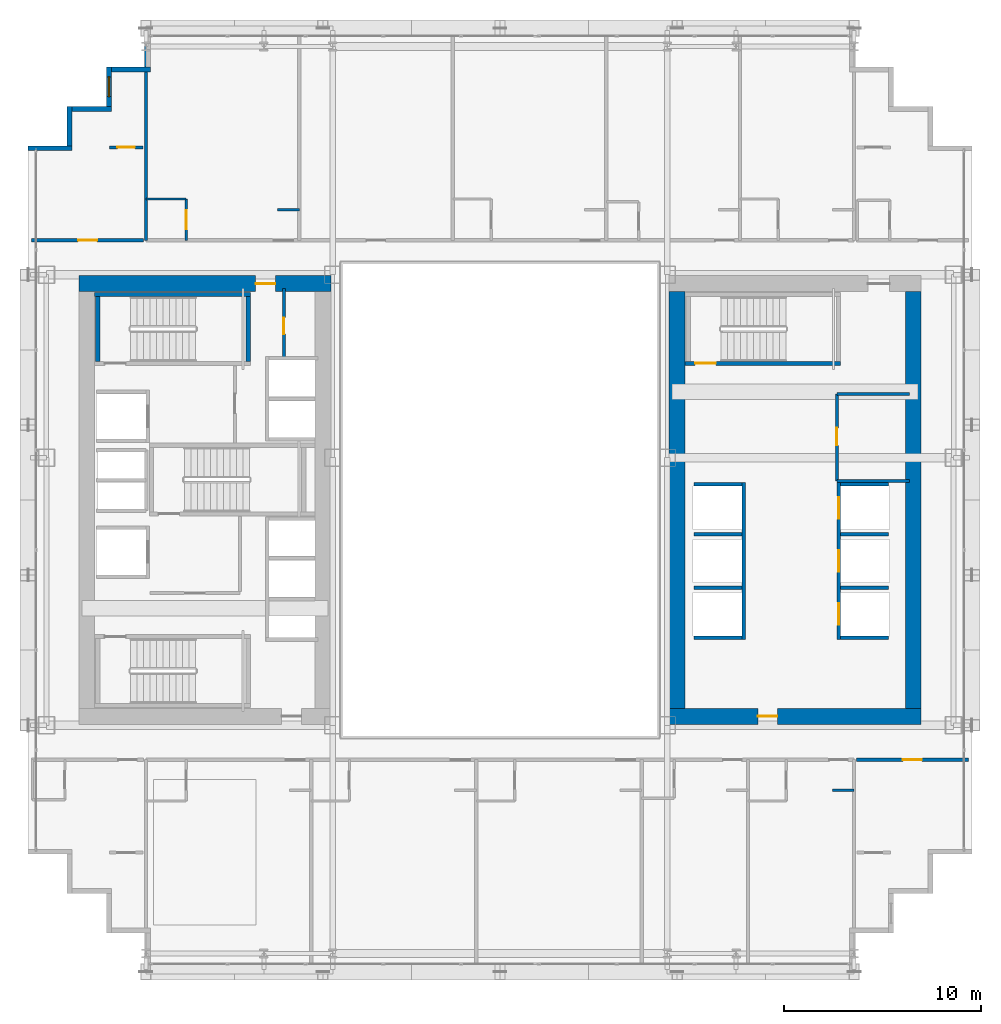
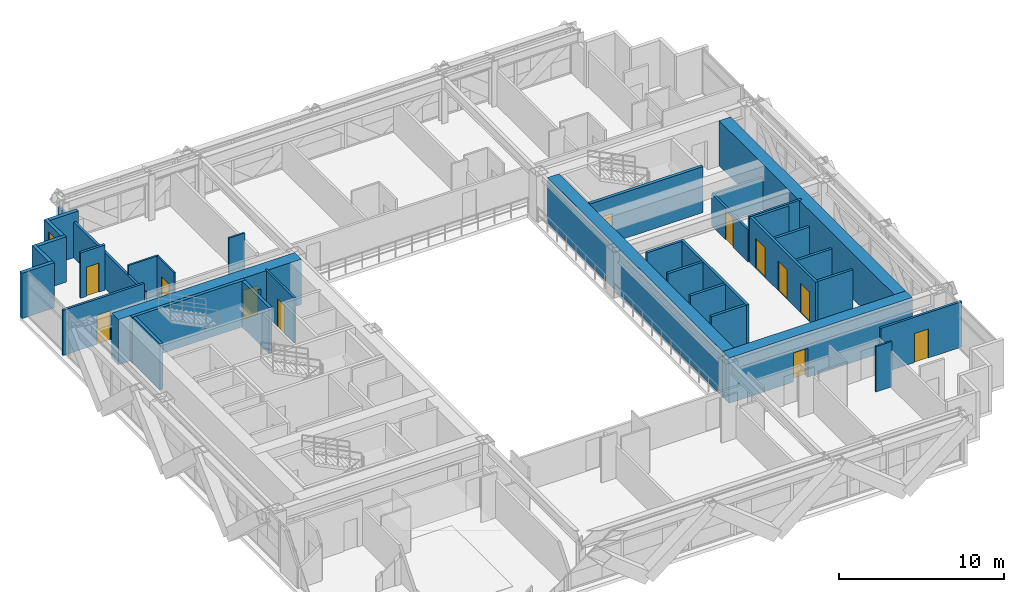
# One storey, part 32 of 38: 35 walls, 12 doors, 1 window, 13 openings.
"""IFC4 building model written with IfcOpenShell, lengths in metres."""

from ifc_helpers import new_model, si_unit, direction, frame, frame_2d, origin, place, context, subcontext, project, spatial, rectangle, extrude, source, transform, mapped, material, layer, layer_set, type_object, element, fill, save


model = new_model("IFC4")

# Units and contexts
model_context = context("Model", 3, precision=1e-05, world=origin(), true_north=direction((0.0, 1.0)))
body_context = subcontext(model_context, "Body", "Model", "MODEL_VIEW")
ifc_project = project(units=[si_unit("LENGTHUNIT", "METRE"), si_unit("AREAUNIT", "SQUARE_METRE"), si_unit("VOLUMEUNIT", "CUBIC_METRE"), si_unit("PLANEANGLEUNIT", "RADIAN"), si_unit("MASSUNIT", "GRAM", prefix="KILO")], contexts=[model_context])

# Site, building, storey
site_placement = place(None, origin())
site = spatial("IfcSite", under=ifc_project, at=site_placement, CompositionType="ELEMENT")
building_placement = place(site_placement, origin())
building = spatial("IfcBuilding", under=site, at=building_placement, Name="Ocotamira Hotel", CompositionType="ELEMENT")
storey_placement = place(building_placement, frame((0.0, 0.0, 60.0)))
storey = spatial("IfcBuildingStorey", under=building, at=storey_placement, Name="L14", CompositionType="ELEMENT", Elevation=60.0)

# Wall, opening, door
ifc_material_1 = material(Name="Concrete C60/75", Category="concrete")
ifc_layer_1 = layer(ifc_material_1, 0.800048828125)
ifc_layer_set_1 = layer_set([ifc_layer_1], Name="Concrete C60/75")
wall_type_1 = type_object("IfcWallType", Name="WL-CORE-800", PredefinedType="SHEAR", material=ifc_layer_set_1)
wall_1_placement = place(storey_placement, frame((10.60009765625, 37.0, 0.0), z_axis=(0.0, 0.0, 1.0), x_axis=(1.0, 0.0, 0.0)))
wall_1 = element("IfcWall", 1, at=wall_1_placement, inside=storey, type_object=wall_type_1, Name="L14 Shear Core Wall WCORE-N", PredefinedType="SHEAR", context=body_context, shape_type="SweptSolid", body=[
    extrude(rectangle(XDim=12.7998046875, YDim=0.800048828125, at=frame_2d((6.39990234375, 0.0))), origin(), (0.0, 0.0, 1.0), 3.35009765625),
])
opening_1_placement = place(wall_1_placement, frame((8.97998046875, 0.0, 0.0)))
opening_1 = element("IfcOpeningElement", 2, at=opening_1_placement, cuts=wall_1, Name="Opening D-FR2", PredefinedType="OPENING", context=body_context, shape_type="SweptSolid", body=[
    extrude(rectangle(XDim=1.0, YDim=2.14990234375, at=frame_2d((0.5, 1.074951171875))), frame((0.0, 0.41015625, 0.0), z_axis=(0.0, -1.0, 0.0), x_axis=(1.0, 0.0, 0.0)), (0.0, 0.0, 1.0), 0.820068359375),
])
ifc_material_2 = material(Name="Fire-rated acoustic timber-veneer door", Category="wood")
door_type_1 = type_object("IfcDoorType", Name="DR-FIRE-1000", OperationType="NOTDEFINED", PredefinedType="DOOR", material=ifc_material_2)
shared_shape_1 = source(origin(), body_context, "Body", "SweptSolid", [
    extrude(rectangle(XDim=1.0, YDim=2.14990234375, at=frame_2d((0.5, 1.074951171875))), frame((0.0, 0.02490234375, 0.0), z_axis=(0.0, -1.0, 0.0), x_axis=(1.0, 0.0, 0.0)), (0.0, 0.0, 1.0), 0.050048828125),
])
door_1_placement = place(opening_1_placement, origin())
door_1 = element("IfcDoor", 3, at=door_1_placement, inside=storey, type_object=door_type_1, Name="L14 Door ID-L14-WLOB-N-D [ID-L14-WLOB-N-D]", OperationType="SINGLE_SWING_RIGHT", OverallHeight=2.14990234375, OverallWidth=1.0, PredefinedType="DOOR", context=body_context, shape_type="MappedRepresentation", body=[
    mapped(shared_shape_1, transform((0.0, 0.0, 0.0), scale=1.0)),
])
fill(opening_1, door_1)

wall_2_placement = place(storey_placement, frame((40.60009765625, 15.0, 0.0), z_axis=(0.0, 0.0, 1.0), x_axis=(1.0, 0.0, 0.0)))
wall_2 = element("IfcWall", 4, at=wall_2_placement, inside=storey, type_object=wall_type_1, Name="L14 Shear Core Wall ECORE-S", PredefinedType="SHEAR", context=body_context, shape_type="SweptSolid", body=[
    extrude(rectangle(XDim=12.7998046875, YDim=0.800048828125, at=frame_2d((6.39990234375, 0.0))), origin(), (0.0, 0.0, 1.0), 3.35009765625),
])
opening_2_placement = place(wall_2_placement, frame((4.5, 0.0, 0.0)))
opening_2 = element("IfcOpeningElement", 5, at=opening_2_placement, cuts=wall_2, Name="Opening D-FR2", PredefinedType="OPENING", context=body_context, shape_type="SweptSolid", body=[
    extrude(rectangle(XDim=1.0, YDim=2.14990234375, at=frame_2d((0.5, 1.074951171875))), frame((0.0, 0.41015625, 0.0), z_axis=(0.0, -1.0, 0.0), x_axis=(1.0, 0.0, 0.0)), (0.0, 0.0, 1.0), 0.820068359375),
])
door_2_placement = place(opening_2_placement, origin())
door_2 = element("IfcDoor", 6, at=door_2_placement, inside=storey, type_object=door_type_1, Name="L14 Door ID-L14-ELOB-S-D [ID-L14-ELOB-S-D]", OperationType="SINGLE_SWING_RIGHT", OverallHeight=2.14990234375, OverallWidth=1.0, PredefinedType="DOOR", context=body_context, shape_type="MappedRepresentation", body=[
    mapped(shared_shape_1, transform((0.0, 0.0, 0.0), scale=1.0)),
])
fill(opening_2, door_2)

# Walls
for number, where, z_axis, x_axis, name in (
    (7, (41.0, 15.39990234375, 0.0), (0.0, 0.0, 1.0), (0.0, 1.0, 0.0), "L14 Shear Core Wall ECORE-W"),
    (8, (53.0, 15.39990234375, 0.0), (0.0, 0.0, 1.0), (0.0, 1.0, 0.0), "L14 Shear Core Wall ECORE-E"),
):
    element("IfcWall", number, at=place(storey_placement, frame(where, z_axis=z_axis, x_axis=x_axis)), inside=storey, type_object=wall_type_1, Name=name, PredefinedType="SHEAR", context=body_context, shape_type="SweptSolid", body=[
        extrude(rectangle(XDim=21.2001953125, YDim=0.800048828125, at=frame_2d((10.60009765625, 0.0))), origin(), (0.0, 0.0, 1.0), 3.35009765625),
    ])
ifc_material_3 = material(Name="Precast concrete C45/55", Category="concrete")
ifc_layer_2 = layer(ifc_material_3, 0.25)
ifc_layer_set_2 = layer_set([ifc_layer_2], Name="Precast concrete C45/55")
wall_type_2 = type_object("IfcWallType", Name="WL-EXT-SER-250", PredefinedType="SOLIDWALL", material=ifc_layer_set_2)
wall_3_placement = place(storey_placement, frame((14.25, 47.875, 0.0), z_axis=(0.0, 0.0, 1.0), x_axis=(-1.0, 0.0, 0.0)))
element("IfcWall", 9, at=wall_3_placement, inside=storey, type_object=wall_type_2, Name="L14 Serrated Corner Wall 14", PredefinedType="SOLIDWALL", context=body_context, shape_type="SweptSolid", body=[
    extrude(rectangle(XDim=2.0, YDim=0.25, at=frame_2d((1.0, 0.0))), origin(), (0.0, 0.0, 1.0), 3.35009765625),
])

# Wall, opening, window
wall_4_placement = place(storey_placement, frame((12.125, 48.0, 0.0), z_axis=(0.0, 0.0, 1.0), x_axis=(0.0, -1.0, 0.0)))
wall_4 = element("IfcWall", 10, at=wall_4_placement, inside=storey, type_object=wall_type_2, Name="L14 Serrated Corner Wall 15", PredefinedType="SOLIDWALL", context=body_context, shape_type="SweptSolid", body=[
    extrude(rectangle(XDim=2.0, YDim=0.25, at=frame_2d((1.0, 0.0))), origin(), (0.0, 0.0, 1.0), 3.35009765625),
])
opening_3_placement = place(wall_4_placement, frame((0.5, 0.0, 0.85009765625)))
opening_3 = element("IfcOpeningElement", 11, at=opening_3_placement, cuts=wall_4, Name="Opening WN-2", PredefinedType="OPENING", context=body_context, shape_type="SweptSolid", body=[
    extrude(rectangle(XDim=1.0, YDim=1.89990234375, at=frame_2d((0.5, 0.949951171875))), frame((0.0, 0.135009765625, 0.0), z_axis=(0.0, -1.0, 0.0), x_axis=(1.0, 0.0, 0.0)), (0.0, 0.0, 1.0), 0.27001953125),
])
ifc_material_4 = material(Name="Double-silver low-E solar glass", Category="glass")
window_type = type_object("IfcWindowType", Name="WIN-SER-1100", PartitioningType="SINGLE_PANEL", PredefinedType="WINDOW", material=ifc_material_4)
shared_shape_2 = source(origin(), body_context, "Body", "SweptSolid", [
    extrude(rectangle(XDim=1.0, YDim=1.89990234375, at=frame_2d((0.5, 0.949951171875))), frame((0.0, 0.030029296875, 0.0), z_axis=(0.0, -1.0, 0.0), x_axis=(1.0, 0.0, 0.0)), (0.0, 0.0, 1.0), 0.06005859375),
])
window_placement = place(opening_3_placement, origin())
window = element("IfcWindow", 12, at=window_placement, inside=storey, type_object=window_type, Name="L14 Serrated Corner Window 15", OverallHeight=1.89990234375, OverallWidth=1.0, PartitioningType="SINGLE_PANEL", PredefinedType="WINDOW", context=body_context, shape_type="MappedRepresentation", body=[
    mapped(shared_shape_2, transform((0.0, 0.0, 0.0), scale=1.0)),
])
fill(opening_3, window)

# Walls
for number, where, z_axis, x_axis, name in (
    (13, (12.25, 45.875, 0.0), (0.0, 0.0, 1.0), (-1.0, 0.0, 0.0), "L14 Serrated Corner Wall 16"),
    (14, (10.125, 46.0, 0.0), (0.0, 0.0, 1.0), (0.0, -1.0, 0.0), "L14 Serrated Corner Wall 17"),
):
    element("IfcWall", number, at=place(storey_placement, frame(where, z_axis=z_axis, x_axis=x_axis)), inside=storey, type_object=wall_type_2, Name=name, PredefinedType="SOLIDWALL", context=body_context, shape_type="SweptSolid", body=[
        extrude(rectangle(XDim=2.0, YDim=0.25, at=frame_2d((1.0, 0.0))), origin(), (0.0, 0.0, 1.0), 3.35009765625),
    ])
wall_5_placement = place(storey_placement, frame((10.25, 43.875, 0.0), z_axis=(0.0, 0.0, 1.0), x_axis=(-1.0, 0.0, 0.0)))
element("IfcWall", 15, at=wall_5_placement, inside=storey, type_object=wall_type_2, Name="L14 Serrated Corner Wall 18", PredefinedType="SOLIDWALL", context=body_context, shape_type="SweptSolid", body=[
    extrude(rectangle(XDim=2.25, YDim=0.25, at=frame_2d((1.125, 0.0))), origin(), (0.0, 0.0, 1.0), 3.35009765625),
])
ifc_material_5 = material(Name="Acoustic double-layer fire gypsum board partition", Category="gypsum")
ifc_layer_3 = layer(ifc_material_5, 0.159912109375)
ifc_layer_set_3 = layer_set([ifc_layer_3], Name="Acoustic double-layer fire gypsum board partition")
wall_type_3 = type_object("IfcWallType", Name="WL-FIRE-160", PredefinedType="PARTITIONING", material=ifc_layer_set_3)
wall_6_placement = place(storey_placement, frame((49.1201171875, 26.969970703125, 0.0), z_axis=(0.0, 0.0, 1.0), x_axis=(1.0, 0.0, 0.0)))
element("IfcWall", 16, at=wall_6_placement, inside=storey, type_object=wall_type_3, Name="L14 Interior Wall PW-L14-EC-NEL-S", PredefinedType="PARTITIONING", context=body_context, shape_type="SweptSolid", body=[
    extrude(rectangle(XDim=3.679931640625, YDim=0.159912109375, at=frame_2d((1.83984375, 0.0))), origin(), (0.0, 0.0, 1.0), 3.35009765625),
])
wall_7_placement = place(storey_placement, frame((49.1201171875, 31.3798828125, 0.0), z_axis=(0.0, 0.0, 1.0), x_axis=(1.0, 0.0, 0.0)))
element("IfcWall", 17, at=wall_7_placement, inside=storey, type_object=wall_type_3, Name="L14 Interior Wall PW-L14-EC-NEL-N", PredefinedType="PARTITIONING", context=body_context, shape_type="SweptSolid", body=[
    extrude(rectangle(XDim=3.679931640625, YDim=0.159912109375, at=frame_2d((1.83984375, 0.0))), origin(), (0.0, 0.0, 1.0), 2.360107421875),
])

# Wall, opening, door
wall_8_placement = place(storey_placement, frame((49.1201171875, 26.969970703125, 0.0), z_axis=(0.0, 0.0, 1.0), x_axis=(0.0, 1.0, 0.0)))
wall_8 = element("IfcWall", 18, at=wall_8_placement, inside=storey, type_object=wall_type_3, Name="L14 Interior Wall PW-L14-EC-NEL-W", PredefinedType="PARTITIONING", context=body_context, shape_type="SweptSolid", body=[
    extrude(rectangle(XDim=4.409912109375, YDim=0.159912109375, at=frame_2d((2.205078125, 0.0))), origin(), (0.0, 0.0, 1.0), 2.360107421875),
])
opening_4_placement = place(wall_8_placement, frame((1.800048828125, 0.0, 0.0)))
opening_4 = element("IfcOpeningElement", 19, at=opening_4_placement, cuts=wall_8, Name="Opening D-IN3", PredefinedType="OPENING", context=body_context, shape_type="SweptSolid", body=[
    extrude(rectangle(XDim=0.89990234375, YDim=2.14990234375, at=frame_2d((0.449951171875, 1.074951171875))), frame((0.0, 0.08984375, 0.0), z_axis=(0.0, -1.0, 0.0), x_axis=(1.0, 0.0, 0.0)), (0.0, 0.0, 1.0), 0.179931640625),
])
ifc_material_6 = material(Name="Painted service room door", Category="steel")
door_type_2 = type_object("IfcDoorType", Name="DR-INT-900", OperationType="NOTDEFINED", PredefinedType="DOOR", material=ifc_material_6)
shared_shape_3 = source(origin(), body_context, "Body", "SweptSolid", [
    extrude(rectangle(XDim=0.89990234375, YDim=2.14990234375, at=frame_2d((0.449951171875, 1.074951171875))), frame((0.0, 0.02490234375, 0.0), z_axis=(0.0, -1.0, 0.0), x_axis=(1.0, 0.0, 0.0)), (0.0, 0.0, 1.0), 0.050048828125),
])
door_3_placement = place(opening_4_placement, origin())
door_3 = element("IfcDoor", 20, at=door_3_placement, inside=storey, type_object=door_type_2, Name="L14 Door ID-L14-EC-NEL-D [ID-L14-EC-NEL-D]", OperationType="SINGLE_SWING_RIGHT", OverallHeight=2.14990234375, OverallWidth=0.89990234375, PredefinedType="DOOR", context=body_context, shape_type="MappedRepresentation", body=[
    mapped(shared_shape_3, transform((0.0, 0.0, 0.0), scale=1.0)),
])
fill(opening_4, door_3)

wall_9_placement = place(storey_placement, frame((50.1201171875, 12.800048828125, 0.0), z_axis=(0.0, 0.0, 1.0), x_axis=(1.0, 0.0, 0.0)))
wall_9 = element("IfcWall", 21, at=wall_9_placement, inside=storey, type_object=wall_type_3, Name="L14 Interior Wall PW-L14-Z1C-CSE-CW", PredefinedType="PARTITIONING", context=body_context, shape_type="SweptSolid", body=[
    extrude(rectangle(XDim=5.679931640625, YDim=0.159912109375, at=frame_2d((2.83984375, 0.0))), origin(), (0.0, 0.0, 1.0), 3.35009765625),
])
opening_5_placement = place(wall_9_placement, frame((2.360107421875, 0.0, 0.0)))
opening_5 = element("IfcOpeningElement", 22, at=opening_5_placement, cuts=wall_9, Name="Opening D-SV4", PredefinedType="OPENING", context=body_context, shape_type="SweptSolid", body=[
    extrude(rectangle(XDim=0.9599609375, YDim=2.14990234375, at=frame_2d((0.47998046875, 1.074951171875))), frame((0.0, 0.08984375, 0.0), z_axis=(0.0, -1.0, 0.0), x_axis=(1.0, 0.0, 0.0)), (0.0, 0.0, 1.0), 0.179931640625),
])
ifc_material_7 = material(Name="Fire-rated accessible walnut salon door", Category="wood")
door_type_3 = type_object("IfcDoorType", Name="DR-SERV-960", OperationType="NOTDEFINED", PredefinedType="DOOR", material=ifc_material_7)
shared_shape_4 = source(origin(), body_context, "Body", "SweptSolid", [
    extrude(rectangle(XDim=0.9599609375, YDim=2.14990234375, at=frame_2d((0.47998046875, 1.074951171875))), frame((0.0, 0.02490234375, 0.0), z_axis=(0.0, -1.0, 0.0), x_axis=(1.0, 0.0, 0.0)), (0.0, 0.0, 1.0), 0.050048828125),
])
door_4_placement = place(opening_5_placement, origin())
door_4 = element("IfcDoor", 23, at=door_4_placement, inside=storey, type_object=door_type_3, Name="L14 Door ID-L14-Z1C-CSE-CD [ID-L14-Z1C-CSE-CD]", OperationType="SINGLE_SWING_LEFT", OverallHeight=2.14990234375, OverallWidth=0.9599609375, PredefinedType="DOOR", context=body_context, shape_type="MappedRepresentation", body=[
    mapped(shared_shape_4, transform((0.0, 0.0, 0.0), scale=1.0)),
])
fill(opening_5, door_4)

wall_10_placement = place(storey_placement, frame((8.199951171875, 39.199951171875, 0.0), z_axis=(0.0, 0.0, 1.0), x_axis=(1.0, 0.0, 0.0)))
wall_10 = element("IfcWall", 24, at=wall_10_placement, inside=storey, type_object=wall_type_3, Name="L14 Interior Wall PW-L14-Z1C-CNW-CW", PredefinedType="PARTITIONING", context=body_context, shape_type="SweptSolid", body=[
    extrude(rectangle(XDim=5.679931640625, YDim=0.159912109375, at=frame_2d((2.83984375, 0.0))), origin(), (0.0, 0.0, 1.0), 3.35009765625),
])
opening_6_placement = place(wall_10_placement, frame((2.360107421875, 0.0, 0.0)))
opening_6 = element("IfcOpeningElement", 25, at=opening_6_placement, cuts=wall_10, Name="Opening D-SV4", PredefinedType="OPENING", context=body_context, shape_type="SweptSolid", body=[
    extrude(rectangle(XDim=0.9599609375, YDim=2.14990234375, at=frame_2d((0.47998046875, 1.074951171875))), frame((0.0, 0.08984375, 0.0), z_axis=(0.0, -1.0, 0.0), x_axis=(1.0, 0.0, 0.0)), (0.0, 0.0, 1.0), 0.179931640625),
])
door_5_placement = place(opening_6_placement, origin())
door_5 = element("IfcDoor", 26, at=door_5_placement, inside=storey, type_object=door_type_3, Name="L14 Door ID-L14-Z1C-CNW-CD [ID-L14-Z1C-CNW-CD]", OperationType="SINGLE_SWING_LEFT", OverallHeight=2.14990234375, OverallWidth=0.9599609375, PredefinedType="DOOR", context=body_context, shape_type="MappedRepresentation", body=[
    mapped(shared_shape_4, transform((0.0, 0.0, 0.0), scale=1.0)),
])
fill(opening_6, door_5)

wall_11_placement = place(storey_placement, frame((12.14990234375, 43.919921875, 0.0), z_axis=(0.0, 0.0, 1.0), x_axis=(1.0, 0.0, 0.0)))
wall_11 = element("IfcWall", 27, at=wall_11_placement, inside=storey, type_object=wall_type_3, Name="L14 Interior Wall PW-L14-Z1C-CNW2-CW", PredefinedType="PARTITIONING", context=body_context, shape_type="SweptSolid", body=[
    extrude(rectangle(XDim=1.7001953125, YDim=0.159912109375, at=frame_2d((0.85009765625, 0.0))), origin(), (0.0, 0.0, 1.0), 3.35009765625),
])
opening_7_placement = place(wall_11_placement, frame((0.409912109375, 0.0, 0.0)))
opening_7 = element("IfcOpeningElement", 28, at=opening_7_placement, cuts=wall_11, Name="Opening D-SV2", PredefinedType="OPENING", context=body_context, shape_type="SweptSolid", body=[
    extrude(rectangle(XDim=0.8798828125, YDim=2.14990234375, at=frame_2d((0.43994140625, 1.074951171875))), frame((0.0, 0.08984375, 0.0), z_axis=(0.0, -1.0, 0.0), x_axis=(1.0, 0.0, 0.0)), (0.0, 0.0, 1.0), 0.179931640625),
])
ifc_material_8 = material(Name="Fire-rated painted steel service door", Category="steel")
door_type_4 = type_object("IfcDoorType", Name="DR-SERV-880", OperationType="NOTDEFINED", PredefinedType="DOOR", material=ifc_material_8)
shared_shape_5 = source(origin(), body_context, "Body", "SweptSolid", [
    extrude(rectangle(XDim=0.8798828125, YDim=2.14990234375, at=frame_2d((0.43994140625, 1.074951171875))), frame((0.0, 0.02490234375, 0.0), z_axis=(0.0, -1.0, 0.0), x_axis=(1.0, 0.0, 0.0)), (0.0, 0.0, 1.0), 0.050048828125),
])
door_6_placement = place(opening_7_placement, origin())
door_6 = element("IfcDoor", 29, at=door_6_placement, inside=storey, type_object=door_type_4, Name="L14 Door ID-L14-Z1C-CNW2-CD [ID-L14-Z1C-CNW2-CD]", OperationType="SINGLE_SWING_LEFT", OverallHeight=2.14990234375, OverallWidth=0.8798828125, PredefinedType="DOOR", context=body_context, shape_type="MappedRepresentation", body=[
    mapped(shared_shape_5, transform((0.0, 0.0, 0.0), scale=1.0)),
])
fill(opening_7, door_6)

# Wall
ifc_material_9 = material(Name="Moisture-resistant en-suite tile and gypsum partition", Category="gypsum")
ifc_layer_4 = layer(ifc_material_9, 0.1201171875)
ifc_layer_set_4 = layer_set([ifc_layer_4], Name="Moisture-resistant en-suite tile and gypsum partition")
wall_type_4 = type_object("IfcWallType", Name="WL-PART-120", PredefinedType="PARTITIONING", material=ifc_layer_set_4)
wall_12_placement = place(storey_placement, frame((48.89990234375, 11.25, 0.0), z_axis=(0.0, 0.0, 1.0), x_axis=(1.0, 0.0, 0.0)))
element("IfcWall", 30, at=wall_12_placement, inside=storey, type_object=wall_type_4, Name="L14 Interior Wall PW-L14-Z1CS-DRN5", PredefinedType="PARTITIONING", context=body_context, shape_type="SweptSolid", body=[
    extrude(rectangle(XDim=1.10009765625, YDim=0.1201171875, at=frame_2d((0.550048828125, 0.0))), origin(), (0.0, 0.0, 1.0), 3.35009765625),
])

# Wall, opening, door
wall_13_placement = place(storey_placement, frame((16.050048828125, 39.199951171875, 0.0), z_axis=(0.0, 0.0, 1.0), x_axis=(0.0, 1.0, 0.0)))
wall_13 = element("IfcWall", 31, at=wall_13_placement, inside=storey, type_object=wall_type_4, Name="L14 Interior Wall PW-L14-Z1CN-BAE1", PredefinedType="PARTITIONING", context=body_context, shape_type="SweptSolid", body=[
    extrude(rectangle(XDim=2.10009765625, YDim=0.1201171875, at=frame_2d((1.050048828125, 0.0))), origin(), (0.0, 0.0, 1.0), 3.35009765625),
])
opening_8_placement = place(wall_13_placement, frame((0.570068359375, 0.0, 0.0)))
opening_8 = element("IfcOpeningElement", 32, at=opening_8_placement, cuts=wall_13, Name="Opening D-IN1", PredefinedType="OPENING", context=body_context, shape_type="SweptSolid", body=[
    extrude(rectangle(XDim=0.9599609375, YDim=2.14990234375, at=frame_2d((0.47998046875, 1.074951171875))), frame((0.0, 0.070068359375, 0.0), z_axis=(0.0, -1.0, 0.0), x_axis=(1.0, 0.0, 0.0)), (0.0, 0.0, 1.0), 0.14013671875),
])
ifc_material_10 = material(Name="Accessible walnut interior room door", Category="wood")
door_type_5 = type_object("IfcDoorType", Name="DR-INT-960", OperationType="NOTDEFINED", PredefinedType="DOOR", material=ifc_material_10)
door_7_placement = place(opening_8_placement, origin())
door_7 = element("IfcDoor", 33, at=door_7_placement, inside=storey, type_object=door_type_5, Name="L14 Door ID-L14-Z1CN-BAD1 [ID-L14-Z1CN-BAD1]", OperationType="SINGLE_SWING_RIGHT", OverallHeight=2.14990234375, OverallWidth=0.9599609375, PredefinedType="DOOR", context=body_context, shape_type="MappedRepresentation", body=[
    mapped(shared_shape_4, transform((0.0, 0.0, 0.0), scale=1.0)),
])
fill(opening_8, door_7)

# Walls
wall_14_placement = place(storey_placement, frame((14.0, 41.300048828125, 0.0), z_axis=(0.0, 0.0, 1.0), x_axis=(1.0, 0.0, 0.0)))
element("IfcWall", 34, at=wall_14_placement, inside=storey, type_object=wall_type_4, Name="L14 Interior Wall PW-L14-Z1CN-BAN1", PredefinedType="PARTITIONING", context=body_context, shape_type="SweptSolid", body=[
    extrude(rectangle(XDim=2.050048828125, YDim=0.1201171875, at=frame_2d((1.02490234375, 0.0))), origin(), (0.0, 0.0, 1.0), 3.35009765625),
])
wall_15_placement = place(storey_placement, frame((20.699951171875, 40.75, 0.0), z_axis=(0.0, 0.0, 1.0), x_axis=(1.0, 0.0, 0.0)))
element("IfcWall", 35, at=wall_15_placement, inside=storey, type_object=wall_type_4, Name="L14 Interior Wall PW-L14-Z1CN-DRN1", PredefinedType="PARTITIONING", context=body_context, shape_type="SweptSolid", body=[
    extrude(rectangle(XDim=1.10009765625, YDim=0.1201171875, at=frame_2d((0.550048828125, 0.0))), origin(), (0.0, 0.0, 1.0), 3.35009765625),
])

# Wall, opening, door
ifc_material_11 = material(Name="Acoustic hospitality gypsum board partition", Category="gypsum")
ifc_layer_5 = layer(ifc_material_11, 0.14208984375)
ifc_layer_set_5 = layer_set([ifc_layer_5], Name="Acoustic hospitality gypsum board partition")
wall_type_5 = type_object("IfcWallType", Name="WL-PART-142", PredefinedType="PARTITIONING", material=ifc_layer_set_5)
wall_16_placement = place(storey_placement, frame((21.02001953125, 33.280029296875, 0.0), z_axis=(0.0, 0.0, 1.0), x_axis=(0.0, 1.0, 0.0)))
wall_16 = element("IfcWall", 36, at=wall_16_placement, inside=storey, type_object=wall_type_5, Name="L14 Interior Wall PW-L14-WC-NE-W", PredefinedType="PARTITIONING", context=body_context, shape_type="SweptSolid", body=[
    extrude(rectangle(XDim=3.469970703125, YDim=0.14208984375, at=frame_2d((1.73486328125, 0.0))), origin(), (0.0, 0.0, 1.0), 3.35009765625),
])
opening_9_placement = place(wall_16_placement, frame((1.14990234375, 0.0, 0.0)))
opening_9 = element("IfcOpeningElement", 37, at=opening_9_placement, cuts=wall_16, Name="Opening D-SV1", PredefinedType="OPENING", context=body_context, shape_type="SweptSolid", body=[
    extrude(rectangle(XDim=0.840087890625, YDim=2.10009765625, at=frame_2d((0.419921875, 1.050048828125))), frame((0.0, 0.0810546875, 0.0), z_axis=(0.0, -1.0, 0.0), x_axis=(1.0, 0.0, 0.0)), (0.0, 0.0, 1.0), 0.162109375),
])
door_type_6 = type_object("IfcDoorType", Name="DR-SERV-840", OperationType="NOTDEFINED", PredefinedType="DOOR", material=ifc_material_8)
shared_shape_6 = source(origin(), body_context, "Body", "SweptSolid", [
    extrude(rectangle(XDim=0.840087890625, YDim=2.10009765625, at=frame_2d((0.419921875, 1.050048828125))), frame((0.0, 0.02490234375, 0.0), z_axis=(0.0, -1.0, 0.0), x_axis=(1.0, 0.0, 0.0)), (0.0, 0.0, 1.0), 0.050048828125),
])
door_8_placement = place(opening_9_placement, origin())
door_8 = element("IfcDoor", 38, at=door_8_placement, inside=storey, type_object=door_type_6, Name="L14 Door ID-L14-WC-NE-D [ID-L14-WC-NE-D]", OperationType="SINGLE_SWING_LEFT", OverallHeight=2.10009765625, OverallWidth=0.840087890625, PredefinedType="DOOR", context=body_context, shape_type="MappedRepresentation", body=[
    mapped(shared_shape_6, transform((0.0, 0.0, 0.0), scale=1.0)),
])
fill(opening_9, door_8)

# Wall
ifc_material_12 = material(Name="Acoustic double-stud hospitality gypsum partition", Category="gypsum")
ifc_layer_6 = layer(ifc_material_12, 0.159912109375)
ifc_layer_set_6 = layer_set([ifc_layer_6], Name="Acoustic double-stud hospitality gypsum partition")
wall_type_6 = type_object("IfcWallType", Name="WL-PART-160", PredefinedType="PARTITIONING", material=ifc_layer_set_6)
wall_17_placement = place(storey_placement, frame((14.0, 39.199951171875, 0.0), z_axis=(0.0, 0.0, 1.0), x_axis=(0.0, 1.0, 0.0)))
element("IfcWall", 39, at=wall_17_placement, inside=storey, type_object=wall_type_6, Name="L14 Interior Wall PW-L14-Z1CN-PW0", PredefinedType="PARTITIONING", context=body_context, shape_type="SweptSolid", body=[
    extrude(rectangle(XDim=10.43994140625, YDim=0.159912109375, at=frame_2d((5.219970703125, 0.0))), origin(), (0.0, 0.0, 1.0), 2.656982421875),
])

# Wall, openings, doors
ifc_material_13 = material(Name="Fire-rated gypsum shaftliner board assembly", Category="gypsum")
ifc_layer_7 = layer(ifc_material_13, 0.179931640625)
ifc_layer_set_7 = layer_set([ifc_layer_7], Name="Fire-rated gypsum shaftliner board assembly")
wall_type_7 = type_object("IfcWallType", Name="WL-SHAFT-180", PredefinedType="SOLIDWALL", material=ifc_layer_set_7)
wall_18_placement = place(storey_placement, frame((49.2099609375, 18.919921875, 0.0), z_axis=(0.0, 0.0, 1.0), x_axis=(0.0, 1.0, 0.0)))
wall_18 = element("IfcWall", 40, at=wall_18_placement, inside=storey, type_object=wall_type_7, Name="L14 Interior Wall PW-L14-LFW-BANK-low-F", PredefinedType="SOLIDWALL", context=body_context, shape_type="SweptSolid", body=[
    extrude(rectangle(XDim=7.9599609375, YDim=0.179931640625, at=frame_2d((3.97998046875, 0.0))), origin(), (0.0, 0.0, 1.0), 3.35009765625),
])
opening_10_placement = place(wall_18_placement, frame((0.72998046875, 0.0, 0.0)))
opening_10 = element("IfcOpeningElement", 41, at=opening_10_placement, cuts=wall_18, Name="Opening LD-LF-P1", PredefinedType="OPENING", context=body_context, shape_type="SweptSolid", body=[
    extrude(rectangle(XDim=1.10009765625, YDim=2.199951171875, at=frame_2d((0.550048828125, 1.10009765625))), frame((0.0, 0.10009765625, 0.0), z_axis=(0.0, -1.0, 0.0), x_axis=(1.0, 0.0, 0.0)), (0.0, 0.0, 1.0), 0.199951171875),
])
opening_11_placement = place(wall_18_placement, frame((3.429931640625, 0.0, 0.0)))
opening_11 = element("IfcOpeningElement", 42, at=opening_11_placement, cuts=wall_18, Name="Opening LD-LF-P2", PredefinedType="OPENING", context=body_context, shape_type="SweptSolid", body=[
    extrude(rectangle(XDim=1.10009765625, YDim=2.199951171875, at=frame_2d((0.550048828125, 1.10009765625))), frame((0.0, 0.10009765625, 0.0), z_axis=(0.0, -1.0, 0.0), x_axis=(1.0, 0.0, 0.0)), (0.0, 0.0, 1.0), 0.199951171875),
])
opening_12_placement = place(wall_18_placement, frame((6.1298828125, 0.0, 0.0)))
opening_12 = element("IfcOpeningElement", 43, at=opening_12_placement, cuts=wall_18, Name="Opening LD-LF-P3", PredefinedType="OPENING", context=body_context, shape_type="SweptSolid", body=[
    extrude(rectangle(XDim=1.10009765625, YDim=2.199951171875, at=frame_2d((0.550048828125, 1.10009765625))), frame((0.0, 0.10009765625, 0.0), z_axis=(0.0, -1.0, 0.0), x_axis=(1.0, 0.0, 0.0)), (0.0, 0.0, 1.0), 0.199951171875),
])
ifc_material_14 = material(Name="Brushed pale-metal stainless elevator landing door", Category="steel")
door_type_7 = type_object("IfcDoorType", Name="DR-LIFT-1100", OperationType="NOTDEFINED", PredefinedType="DOOR", material=ifc_material_14)
shared_shape_7 = source(origin(), body_context, "Body", "SweptSolid", [
    extrude(rectangle(XDim=1.10009765625, YDim=2.199951171875, at=frame_2d((0.550048828125, 1.10009765625))), frame((0.0, 0.02490234375, 0.0), z_axis=(0.0, -1.0, 0.0), x_axis=(1.0, 0.0, 0.0)), (0.0, 0.0, 1.0), 0.050048828125),
])
door_9_placement = place(opening_10_placement, origin())
door_9 = element("IfcDoor", 44, at=door_9_placement, inside=storey, type_object=door_type_7, Name="L14 Landing Door LD-LF-P1 [ID-L14-LD-LF-P1]", OperationType="DOUBLE_DOOR_SLIDING", OverallHeight=2.199951171875, OverallWidth=1.10009765625, PredefinedType="DOOR", context=body_context, shape_type="MappedRepresentation", body=[
    mapped(shared_shape_7, transform((0.0, 0.0, 0.0), scale=1.0)),
])
fill(opening_10, door_9)
door_10_placement = place(opening_11_placement, origin())
door_10 = element("IfcDoor", 45, at=door_10_placement, inside=storey, type_object=door_type_7, Name="L14 Landing Door LD-LF-P2 [ID-L14-LD-LF-P2]", OperationType="DOUBLE_DOOR_SLIDING", OverallHeight=2.199951171875, OverallWidth=1.10009765625, PredefinedType="DOOR", context=body_context, shape_type="MappedRepresentation", body=[
    mapped(shared_shape_7, transform((0.0, 0.0, 0.0), scale=1.0)),
])
fill(opening_11, door_10)
door_11_placement = place(opening_12_placement, origin())
door_11 = element("IfcDoor", 46, at=door_11_placement, inside=storey, type_object=door_type_7, Name="L14 Landing Door LD-LF-P3 [ID-L14-LD-LF-P3]", OperationType="DOUBLE_DOOR_SLIDING", OverallHeight=2.199951171875, OverallWidth=1.10009765625, PredefinedType="DOOR", context=body_context, shape_type="MappedRepresentation", body=[
    mapped(shared_shape_7, transform((0.0, 0.0, 0.0), scale=1.0)),
])
fill(opening_12, door_11)

# Walls
for number, where, z_axis, x_axis, name in (
    (47, (49.300048828125, 19.010009765625, 0.0), (0.0, 0.0, 1.0), (1.0, 0.0, 0.0), "L14 Interior Wall PW-L14-LFW-BANK-low-S"),
    (48, (49.300048828125, 26.7900390625, 0.0), (0.0, 0.0, 1.0), (1.0, 0.0, 0.0), "L14 Interior Wall PW-L14-LFW-BANK-low-N"),
    (49, (49.300048828125, 21.550048828125, 0.0), (0.0, 0.0, 1.0), (1.0, 0.0, 0.0), "L14 Interior Wall PW-L14-LFW-DIV-LF-P1"),
    (50, (49.300048828125, 24.25, 0.0), (0.0, 0.0, 1.0), (1.0, 0.0, 0.0), "L14 Interior Wall PW-L14-LFW-DIV-LF-P2"),
):
    element("IfcWall", number, at=place(storey_placement, frame(where, z_axis=z_axis, x_axis=x_axis)), inside=storey, type_object=wall_type_7, Name=name, PredefinedType="SOLIDWALL", context=body_context, shape_type="SweptSolid", body=[
        extrude(rectangle(XDim=2.449951171875, YDim=0.179931640625, at=frame_2d((1.22509765625, 0.0))), origin(), (0.0, 0.0, 1.0), 3.35009765625),
    ])
wall_19_placement = place(storey_placement, frame((44.389892578125, 18.919921875, 0.0), z_axis=(0.0, 0.0, 1.0), x_axis=(0.0, 1.0, 0.0)))
element("IfcWall", 51, at=wall_19_placement, inside=storey, type_object=wall_type_7, Name="L14 Interior Wall PW-L14-LFW-BANK-mid-F", PredefinedType="SOLIDWALL", context=body_context, shape_type="SweptSolid", body=[
    extrude(rectangle(XDim=7.9599609375, YDim=0.179931640625, at=frame_2d((3.97998046875, 0.0))), origin(), (0.0, 0.0, 1.0), 3.35009765625),
])
for number, where, z_axis, x_axis, name in (
    (52, (41.85009765625, 19.010009765625, 0.0), (0.0, 0.0, 1.0), (1.0, 0.0, 0.0), "L14 Interior Wall PW-L14-LFW-BANK-mid-S"),
    (53, (41.85009765625, 26.7900390625, 0.0), (0.0, 0.0, 1.0), (1.0, 0.0, 0.0), "L14 Interior Wall PW-L14-LFW-BANK-mid-N"),
    (54, (41.85009765625, 21.550048828125, 0.0), (0.0, 0.0, 1.0), (1.0, 0.0, 0.0), "L14 Interior Wall PW-L14-LFW-DIV-LF-P4"),
    (55, (41.85009765625, 24.25, 0.0), (0.0, 0.0, 1.0), (1.0, 0.0, 0.0), "L14 Interior Wall PW-L14-LFW-DIV-LF-P5"),
):
    element("IfcWall", number, at=place(storey_placement, frame(where, z_axis=z_axis, x_axis=x_axis)), inside=storey, type_object=wall_type_7, Name=name, PredefinedType="SOLIDWALL", context=body_context, shape_type="SweptSolid", body=[
        extrude(rectangle(XDim=2.449951171875, YDim=0.179931640625, at=frame_2d((1.22509765625, 0.0))), origin(), (0.0, 0.0, 1.0), 3.35009765625),
    ])
ifc_material_15 = material(Name="Concrete C50/60", Category="concrete")
ifc_layer_8 = layer(ifc_material_15, 0.219970703125)
ifc_layer_set_8 = layer_set([ifc_layer_8], Name="Concrete C50/60")
wall_type_8 = type_object("IfcWallType", Name="WL-STAIR-220", PredefinedType="SHEAR", material=ifc_layer_set_8)
wall_20_placement = place(storey_placement, frame((11.39990234375, 36.43994140625, 0.0), z_axis=(0.0, 0.0, 1.0), x_axis=(1.0, 0.0, 0.0)))
element("IfcWall", 56, at=wall_20_placement, inside=storey, type_object=wall_type_8, Name="L14 Stair Shaft Structural Wall ST-2-N", PredefinedType="SHEAR", context=body_context, shape_type="SweptSolid", body=[
    extrude(rectangle(XDim=7.91015625, YDim=0.219970703125, at=frame_2d((3.955078125, 0.0))), origin(), (0.0, 0.0, 1.0), 3.39990234375),
])
for number, where, z_axis, x_axis, name in (
    (57, (11.56005859375, 33.050048828125, 0.0), (0.0, 0.0, 1.0), (0.0, 1.0, 0.0), "L14 Stair Shaft Structural Wall ST-2-W"),
    (58, (19.199951171875, 33.050048828125, 0.0), (0.0, 0.0, 1.0), (0.0, 1.0, 0.0), "L14 Stair Shaft Structural Wall ST-2-E"),
):
    element("IfcWall", number, at=place(storey_placement, frame(where, z_axis=z_axis, x_axis=x_axis)), inside=storey, type_object=wall_type_8, Name=name, PredefinedType="SHEAR", context=body_context, shape_type="SweptSolid", body=[
        extrude(rectangle(XDim=3.280029296875, YDim=0.219970703125, at=frame_2d((1.64013671875, 0.0))), origin(), (0.0, 0.0, 1.0), 3.39990234375),
    ])

# Wall, opening, door
wall_21_placement = place(storey_placement, frame((41.39990234375, 32.93994140625, 0.0), z_axis=(0.0, 0.0, 1.0), x_axis=(1.0, 0.0, 0.0)))
wall_21 = element("IfcWall", 59, at=wall_21_placement, inside=storey, type_object=wall_type_8, Name="L14 Stair Shaft Structural Wall ST-4-S", PredefinedType="SHEAR", context=body_context, shape_type="SweptSolid", body=[
    extrude(rectangle(XDim=7.91015625, YDim=0.219970703125, at=frame_2d((3.955078125, 0.0))), origin(), (0.0, 0.0, 1.0), 3.39990234375),
])
opening_13_placement = place(wall_21_placement, frame((0.52001953125, 0.0, 0.0)))
opening_13 = element("IfcOpeningElement", 60, at=opening_13_placement, cuts=wall_21, Name="Opening D-ST2", PredefinedType="OPENING", context=body_context, shape_type="SweptSolid", body=[
    extrude(rectangle(XDim=1.050048828125, YDim=2.14990234375, at=frame_2d((0.52490234375, 1.074951171875))), frame((0.0, 0.1201171875, 0.0), z_axis=(0.0, -1.0, 0.0), x_axis=(1.0, 0.0, 0.0)), (0.0, 0.0, 1.0), 0.239990234375),
])
ifc_material_16 = material(Name="Insulated painted hollow-metal fire exit door", Category="steel")
door_type_8 = type_object("IfcDoorType", Name="DR-STAIR-1050", OperationType="NOTDEFINED", PredefinedType="DOOR", material=ifc_material_16)
shared_shape_8 = source(origin(), body_context, "Body", "SweptSolid", [
    extrude(rectangle(XDim=1.050048828125, YDim=2.14990234375, at=frame_2d((0.52490234375, 1.074951171875))), frame((0.0, 0.02490234375, 0.0), z_axis=(0.0, -1.0, 0.0), x_axis=(1.0, 0.0, 0.0)), (0.0, 0.0, 1.0), 0.050048828125),
])
door_12_placement = place(opening_13_placement, origin())
door_12 = element("IfcDoor", 61, at=door_12_placement, inside=storey, type_object=door_type_8, Name="L14 Door ID-L14-STD-ST-4 [ID-L14-STD-ST-4]", OperationType="SINGLE_SWING_RIGHT", OverallHeight=2.14990234375, OverallWidth=1.050048828125, PredefinedType="DOOR", context=body_context, shape_type="MappedRepresentation", body=[
    mapped(shared_shape_8, transform((0.0, 0.0, 0.0), scale=1.0)),
])
fill(opening_13, door_12)

save(model, "model.ifc")
